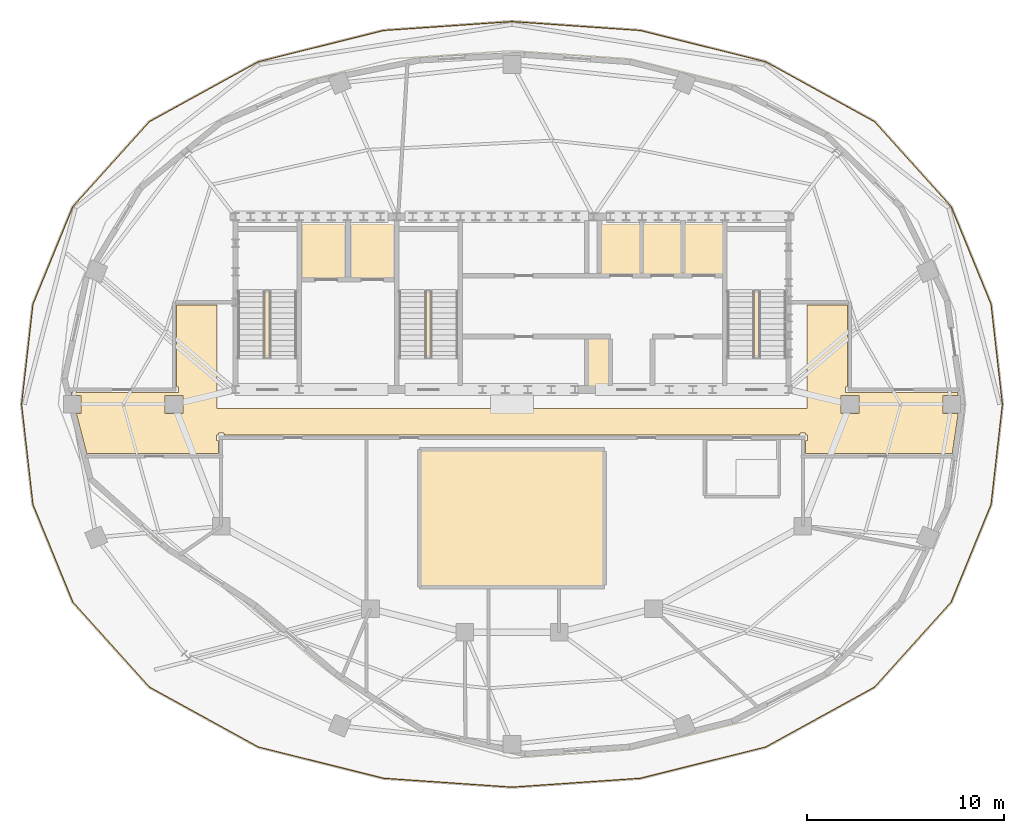
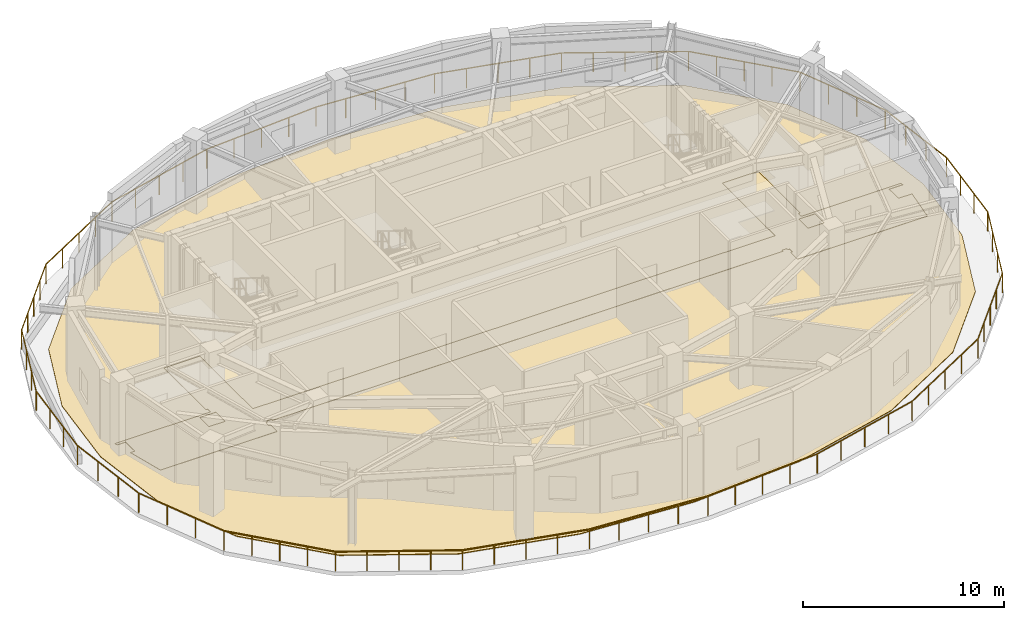
# One storey, part 8 of 10: 2 coverings, 1 railing.
"""IFC4 building model written with IfcOpenShell, lengths in metres."""

from ifc_helpers import new_model, si_unit, direction, frame, origin, origin_2d, place, context, subcontext, project, spatial, polyline, rectangle, outline, extrude, material, layer, layer_set, type_object, element, save


model = new_model("IFC4")

# Units and contexts
model_context = context("Model", 3, precision=1e-05, world=origin(), true_north=direction((0.0, 1.0)))
body_context = subcontext(model_context, "Body", "Model", "MODEL_VIEW")
ifc_project = project(units=[si_unit("LENGTHUNIT", "METRE"), si_unit("AREAUNIT", "SQUARE_METRE"), si_unit("VOLUMEUNIT", "CUBIC_METRE"), si_unit("PLANEANGLEUNIT", "RADIAN"), si_unit("MASSUNIT", "GRAM", prefix="KILO")], contexts=[model_context])

# Site, building, storey
site_placement = place(None, origin())
site = spatial("IfcSite", under=ifc_project, at=site_placement, CompositionType="ELEMENT")
building_placement = place(site_placement, origin())
building = spatial("IfcBuilding", under=site, at=building_placement, Name="Haldorwick Loom Tower", CompositionType="ELEMENT")
storey_placement = place(building_placement, frame((0.0, 0.0, 273.0)))
storey = spatial("IfcBuildingStorey", under=building, at=storey_placement, Name="L74", CompositionType="ELEMENT", Elevation=273.0)

# Coverings
ifc_material_1 = material(Name="Polished Aggregate Terrazzo Finish")
ifc_layer_1 = layer(ifc_material_1, 0.044921875, Name="Polished Aggregate Terrazzo Finish")
ifc_layer_set_1 = layer_set([ifc_layer_1], Name="Polished Aggregate Terrazzo Finish")
covering_type_1 = type_object("IfcCoveringType", Name="ARC-COV-FLOOR2", PredefinedType="FLOORING", material=ifc_layer_set_1)
covering_1_placement = place(storey_placement, origin())
element("IfcCovering", 1, at=covering_1_placement, inside=storey, type_object=covering_type_1, Name="L74 Floor Finish 1", PredefinedType="FLOORING", context=body_context, shape_type="SweptSolid", body=[
    extrude(outline(polyline([(14.36474609375, 23.489990234375), (21.06005859375, 23.489990234375), (21.06005859375, 24.159912109375), (20.97998046875, 24.159912109375), (20.97802734375, 24.16015625), (20.97607421875, 24.160400390625), (20.97412109375, 24.160888671875), (20.972412109375, 24.16162109375), (20.970703125, 24.162353515625), (20.968994140625, 24.163330078125), (20.96728515625, 24.16455078125), (20.9658203125, 24.166015625), (20.964599609375, 24.167236328125), (20.96337890625, 24.1689453125), (20.96240234375, 24.170654296875), (20.96142578125, 24.17236328125), (20.9609375, 24.17431640625), (20.96044921875, 24.176025390625), (20.960205078125, 24.177978515625), (20.9599609375, 24.179931640625), (20.9599609375, 24.419921875), (20.960205078125, 24.422119140625), (20.96044921875, 24.423828125), (20.9609375, 24.42578125), (20.96142578125, 24.427734375), (20.96240234375, 24.429443359375), (20.96337890625, 24.43115234375), (20.964599609375, 24.4326171875), (20.9658203125, 24.43408203125), (20.96728515625, 24.435546875), (20.968994140625, 24.4365234375), (20.970703125, 24.4375), (20.972412109375, 24.4384765625), (20.97412109375, 24.439208984375), (20.97607421875, 24.439697265625), (20.97802734375, 24.43994140625), (20.97998046875, 24.43994140625), (21.06005859375, 24.43994140625), (21.06005859375, 24.52001953125), (21.06005859375, 24.52197265625), (21.060302734375, 24.52392578125), (21.060791015625, 24.52587890625), (21.0615234375, 24.527587890625), (21.0625, 24.529296875), (21.0634765625, 24.531005859375), (21.064453125, 24.53271484375), (21.06591796875, 24.5341796875), (21.0673828125, 24.535400390625), (21.06884765625, 24.53662109375), (21.070556640625, 24.53759765625), (21.072265625, 24.53857421875), (21.07421875, 24.5390625), (21.076171875, 24.53955078125), (21.077880859375, 24.539794921875), (21.080078125, 24.5400390625), (21.320068359375, 24.5400390625), (21.322021484375, 24.539794921875), (21.323974609375, 24.53955078125), (21.32568359375, 24.5390625), (21.32763671875, 24.53857421875), (21.329345703125, 24.53759765625), (21.3310546875, 24.53662109375), (21.332763671875, 24.535400390625), (21.333984375, 24.5341796875), (21.33544921875, 24.53271484375), (21.336669921875, 24.531005859375), (21.337646484375, 24.529296875), (21.33837890625, 24.527587890625), (21.339111328125, 24.52587890625), (21.339599609375, 24.52392578125), (21.33984375, 24.52197265625), (21.340087890625, 24.52001953125), (21.340087890625, 24.43994140625), (50.659912109375, 24.43994140625), (50.659912109375, 24.52001953125), (50.66015625, 24.52197265625), (50.660400390625, 24.52392578125), (50.660888671875, 24.52587890625), (50.66162109375, 24.527587890625), (50.662353515625, 24.529296875), (50.663330078125, 24.531005859375), (50.66455078125, 24.53271484375), (50.666015625, 24.5341796875), (50.667236328125, 24.535400390625), (50.6689453125, 24.53662109375), (50.670654296875, 24.53759765625), (50.67236328125, 24.53857421875), (50.67431640625, 24.5390625), (50.676025390625, 24.53955078125), (50.677978515625, 24.539794921875), (50.679931640625, 24.5400390625), (50.919921875, 24.5400390625), (50.922119140625, 24.539794921875), (50.923828125, 24.53955078125), (50.92578125, 24.5390625), (50.927734375, 24.53857421875), (50.929443359375, 24.53759765625), (50.93115234375, 24.53662109375), (50.9326171875, 24.535400390625), (50.93408203125, 24.5341796875), (50.935546875, 24.53271484375), (50.9365234375, 24.531005859375), (50.9375, 24.529296875), (50.9384765625, 24.527587890625), (50.939208984375, 24.52587890625), (50.939697265625, 24.52392578125), (50.93994140625, 24.52197265625), (50.93994140625, 24.52001953125), (50.93994140625, 24.43994140625), (51.02001953125, 24.43994140625), (51.02197265625, 24.43994140625), (51.02392578125, 24.439697265625), (51.02587890625, 24.439208984375), (51.027587890625, 24.4384765625), (51.029296875, 24.4375), (51.031005859375, 24.4365234375), (51.03271484375, 24.435546875), (51.0341796875, 24.43408203125), (51.035400390625, 24.4326171875), (51.03662109375, 24.43115234375), (51.03759765625, 24.429443359375), (51.03857421875, 24.427734375), (51.0390625, 24.42578125), (51.03955078125, 24.423828125), (51.039794921875, 24.422119140625), (51.0400390625, 24.419921875), (51.0400390625, 24.179931640625), (51.039794921875, 24.177978515625), (51.03955078125, 24.176025390625), (51.0390625, 24.17431640625), (51.03857421875, 24.17236328125), (51.03759765625, 24.170654296875), (51.03662109375, 24.1689453125), (51.035400390625, 24.167236328125), (51.0341796875, 24.166015625), (51.03271484375, 24.16455078125), (51.031005859375, 24.163330078125), (51.029296875, 24.162353515625), (51.027587890625, 24.16162109375), (51.02587890625, 24.160888671875), (51.02392578125, 24.160400390625), (51.02197265625, 24.16015625), (51.02001953125, 24.159912109375), (50.93994140625, 24.159912109375), (50.93994140625, 23.489990234375), (58.40283203125, 23.489990234375), (58.706298828125, 25.5419921875), (57.9228515625, 25.5419921875), (57.9228515625, 26.4580078125), (58.706298828125, 26.4580078125), (58.683837890625, 26.610107421875), (52.97998046875, 26.610107421875), (52.97802734375, 26.610107421875), (52.97607421875, 26.6103515625), (52.97412109375, 26.61083984375), (52.972412109375, 26.611572265625), (52.970703125, 26.6123046875), (52.968994140625, 26.61328125), (52.96728515625, 26.614501953125), (52.9658203125, 26.615966796875), (52.964599609375, 26.6171875), (52.96337890625, 26.618896484375), (52.96240234375, 26.62060546875), (52.96142578125, 26.622314453125), (52.9609375, 26.624267578125), (52.96044921875, 26.626220703125), (52.960205078125, 26.6279296875), (52.9599609375, 26.6298828125), (52.9599609375, 26.8701171875), (52.960205078125, 26.8720703125), (52.96044921875, 26.873779296875), (52.9609375, 26.875732421875), (52.96142578125, 26.877685546875), (52.96240234375, 26.87939453125), (52.96337890625, 26.881103515625), (52.964599609375, 26.8828125), (52.9658203125, 26.884033203125), (52.96728515625, 26.885498046875), (52.968994140625, 26.88671875), (52.970703125, 26.8876953125), (52.972412109375, 26.888427734375), (52.97412109375, 26.88916015625), (52.97607421875, 26.8896484375), (52.97802734375, 26.889892578125), (52.97998046875, 26.889892578125), (53.06005859375, 26.889892578125), (53.06005859375, 31.06005859375), (51.0, 31.06005859375), (51.0, 25.800048828125), (21.0, 25.800048828125), (21.0, 31.06005859375), (18.93994140625, 31.06005859375), (18.93994140625, 26.889892578125), (19.02001953125, 26.889892578125), (19.02197265625, 26.889892578125), (19.02392578125, 26.8896484375), (19.02587890625, 26.88916015625), (19.027587890625, 26.888427734375), (19.029296875, 26.8876953125), (19.031005859375, 26.88671875), (19.03271484375, 26.885498046875), (19.0341796875, 26.884033203125), (19.035400390625, 26.8828125), (19.03662109375, 26.881103515625), (19.03759765625, 26.87939453125), (19.03857421875, 26.877685546875), (19.0390625, 26.875732421875), (19.03955078125, 26.873779296875), (19.039794921875, 26.8720703125), (19.0400390625, 26.8701171875), (19.0400390625, 26.6298828125), (19.039794921875, 26.6279296875), (19.03955078125, 26.626220703125), (19.0390625, 26.624267578125), (19.03857421875, 26.622314453125), (19.03759765625, 26.62060546875), (19.03662109375, 26.618896484375), (19.035400390625, 26.6171875), (19.0341796875, 26.615966796875), (19.03271484375, 26.614501953125), (19.031005859375, 26.61328125), (19.029296875, 26.6123046875), (19.027587890625, 26.611572265625), (19.02587890625, 26.61083984375), (19.02392578125, 26.6103515625), (19.02197265625, 26.610107421875), (19.02001953125, 26.610107421875), (13.555419921875, 26.610107421875), (13.5947265625, 26.4580078125), (14.0771484375, 26.4580078125), (14.0771484375, 25.5419921875), (13.832275390625, 25.5419921875), (14.36474609375, 23.489990234375)]), holes=[polyline([(19.258056640625, 26.4580078125), (19.258056640625, 25.5419921875), (18.342041015625, 25.5419921875), (18.342041015625, 26.4580078125), (19.258056640625, 26.4580078125)]), polyline([(53.657958984375, 26.4580078125), (53.657958984375, 25.5419921875), (52.741943359375, 25.5419921875), (52.741943359375, 26.4580078125), (53.657958984375, 26.4580078125)])]), origin(), (0.0, 0.0, 1.0), 0.044921875),
])
ifc_material_2 = material(Name="SBS Modified Bitumen Inverted Roof Membrane")
ifc_layer_2 = layer(ifc_material_2, 0.0400390625, Name="SBS Modified Bitumen Inverted Roof Membrane")
ifc_layer_set_2 = layer_set([ifc_layer_2], Name="SBS Modified Bitumen Inverted Roof Membrane")
covering_type_2 = type_object("IfcCoveringType", Name="ARC-COV-ROOFMEM", PredefinedType="ROOFING", material=ifc_layer_set_2)
covering_2_placement = place(storey_placement, origin())
element("IfcCovering", 2, at=covering_2_placement, inside=storey, type_object=covering_type_2, Name="L74 Terrace Inverted Roof Membrane 1", PredefinedType="ROOFING", context=body_context, shape_type="SweptSolid", body=[
    extrude(outline(polyline([(59.627685546875, 25.999755859375), (59.0869140625, 30.76611328125), (57.2119140625, 35.35107421875), (53.62060546875, 39.338134765625), (48.427490234375, 42.195556640625), (42.334716796875, 43.717529296875), (36.00146484375, 44.156494140625), (29.66845703125, 43.718017578125), (23.5771484375, 42.197265625), (18.384521484375, 39.342041015625), (14.79150390625, 35.3564453125), (12.914306640625, 30.771240234375), (12.37255859375, 26.002197265625), (12.9130859375, 21.23388671875), (14.7880859375, 16.64892578125), (18.37939453125, 12.661865234375), (23.572509765625, 9.804443359375), (29.665283203125, 8.282470703125), (35.99853515625, 7.843505859375), (42.33154296875, 8.281982421875), (48.4228515625, 9.802734375), (53.615478515625, 12.657958984375), (57.20849609375, 16.6435546875), (59.085693359375, 21.228759765625), (59.627685546875, 25.999755859375)])), origin(), (0.0, 0.0, 1.0), 0.0400390625),
])

# Railing
ifc_material_3 = material(Name="Galvanized Steel CSA G40.21 350W", Category="steel")
railing_type = type_object("IfcRailingType", Name="ARC-RLG-BAL120", PredefinedType="BALUSTRADE", material=ifc_material_3)
railing_placement = place(storey_placement, frame((11.043701171875, 26.0, 0.0)))
element("IfcRailing", 3, at=railing_placement, inside=storey, type_object=railing_type, Name="L74 Outdoor Terrace Guardrail SLB-L74-TERR-1-1", PredefinedType="BALUSTRADE", context=body_context, shape_type="SweptSolid", body=[
    extrude(rectangle(XDim=0.048095703125, YDim=0.048095703125, at=origin_2d()), frame((0.0, 0.0, 1.17578125), z_axis=(0.112785877021, 0.993619316411, 0.0), x_axis=(-0.993619316411, 0.112785877021, 0.0)), (0.0, 0.0, 1.0), 5.13232421875),
    extrude(rectangle(XDim=0.048095703125, YDim=0.048095703125, at=origin_2d()), frame((0.578857421875, 5.099609375, 1.17578125), z_axis=(0.3786576436, 0.925536811231, 0.0), x_axis=(-0.925536811231, 0.3786576436, 0.0)), (0.0, 0.0, 1.0), 5.366943359375),
    extrude(rectangle(XDim=0.048095703125, YDim=0.048095703125, at=origin_2d()), frame((2.611083984375, 10.06689453125, 1.17578125), z_axis=(0.669418944259, 0.742885103544, 0.0), x_axis=(-0.742885103544, 0.669418944259, 0.0)), (0.0, 0.0, 1.0), 5.81884765625),
    extrude(rectangle(XDim=0.048095703125, YDim=0.048095703125, at=origin_2d()), frame((6.50634765625, 14.3896484375, 1.17578125), z_axis=(0.876220801481, 0.481909853658, 0.0), x_axis=(-0.481909853658, 0.876220801481, 0.0)), (0.0, 0.0, 1.0), 6.321044921875),
    extrude(rectangle(XDim=0.048095703125, YDim=0.048095703125, at=origin_2d()), frame((12.044921875, 17.435791015625, 1.17578125), z_axis=(0.970210260935, 0.24226442078, 0.0), x_axis=(-0.24226442078, 0.970210260935, 0.0)), (0.0, 0.0, 1.0), 6.56640625),
    extrude(rectangle(XDim=0.048095703125, YDim=0.048095703125, at=origin_2d()), frame((18.415771484375, 19.026611328125, 1.17578125), z_axis=(0.997608774133, 0.069113918805, 0.0), x_axis=(-0.069113918805, 0.997608774133, 0.0)), (0.0, 0.0, 1.0), 6.55615234375),
    extrude(rectangle(XDim=0.048095703125, YDim=0.048095703125, at=origin_2d()), frame((24.956298828125, 19.479736328125, 1.17578125), z_axis=(0.997608774133, -0.069113918805, 0.0), x_axis=(0.069113918805, 0.997608774133, 0.0)), (0.0, 0.0, 1.0), 6.55615234375),
    extrude(rectangle(XDim=0.048095703125, YDim=0.048095703125, at=origin_2d()), frame((31.496826171875, 19.026611328125, 1.17578125), z_axis=(0.970210260935, -0.24226442078, 0.0), x_axis=(0.24226442078, 0.970210260935, 0.0)), (0.0, 0.0, 1.0), 6.56640625),
    extrude(rectangle(XDim=0.048095703125, YDim=0.048095703125, at=origin_2d()), frame((37.86767578125, 17.435791015625, 1.17578125), z_axis=(0.876220801481, -0.481909853658, 0.0), x_axis=(0.481909853658, 0.876220801481, 0.0)), (0.0, 0.0, 1.0), 6.321044921875),
    extrude(rectangle(XDim=0.048095703125, YDim=0.048095703125, at=origin_2d()), frame((43.40625, 14.3896484375, 1.17578125), z_axis=(0.669418944259, -0.742885103544, 0.0), x_axis=(0.742885103544, 0.669418944259, 0.0)), (0.0, 0.0, 1.0), 5.81884765625),
    extrude(rectangle(XDim=0.048095703125, YDim=0.048095703125, at=origin_2d()), frame((47.301513671875, 10.06689453125, 1.17578125), z_axis=(0.3786576436, -0.925536811231, 0.0), x_axis=(0.925536811231, 0.3786576436, 0.0)), (0.0, 0.0, 1.0), 5.366943359375),
    extrude(rectangle(XDim=0.048095703125, YDim=0.048095703125, at=origin_2d()), frame((49.333740234375, 5.099609375, 1.17578125), z_axis=(0.112785877021, -0.993619316411, 0.0), x_axis=(0.993619316411, 0.112785877021, 0.0)), (0.0, 0.0, 1.0), 5.13232421875),
    extrude(rectangle(XDim=0.048095703125, YDim=0.048095703125, at=origin_2d()), frame((49.91259765625, 0.0, 1.17578125), z_axis=(-0.112785877021, -0.993619316411, 0.0), x_axis=(0.993619316411, -0.112785877021, 0.0)), (0.0, 0.0, 1.0), 5.13232421875),
    extrude(rectangle(XDim=0.048095703125, YDim=0.048095703125, at=origin_2d()), frame((49.333740234375, -5.099609375, 1.17578125), z_axis=(-0.3786576436, -0.925536811231, 0.0), x_axis=(0.925536811231, -0.3786576436, 0.0)), (0.0, 0.0, 1.0), 5.366943359375),
    extrude(rectangle(XDim=0.048095703125, YDim=0.048095703125, at=origin_2d()), frame((47.301513671875, -10.06689453125, 1.17578125), z_axis=(-0.669418944259, -0.742885103544, 0.0), x_axis=(0.742885103544, -0.669418944259, 0.0)), (0.0, 0.0, 1.0), 5.81884765625),
    extrude(rectangle(XDim=0.048095703125, YDim=0.048095703125, at=origin_2d()), frame((43.40625, -14.3896484375, 1.17578125), z_axis=(-0.876220801481, -0.481909853658, 0.0), x_axis=(0.481909853658, -0.876220801481, 0.0)), (0.0, 0.0, 1.0), 6.321044921875),
    extrude(rectangle(XDim=0.048095703125, YDim=0.048095703125, at=origin_2d()), frame((37.86767578125, -17.435791015625, 1.17578125), z_axis=(-0.970210260935, -0.24226442078, 0.0), x_axis=(0.24226442078, -0.970210260935, 0.0)), (0.0, 0.0, 1.0), 6.56640625),
    extrude(rectangle(XDim=0.048095703125, YDim=0.048095703125, at=origin_2d()), frame((31.496826171875, -19.026611328125, 1.17578125), z_axis=(-0.997608774133, -0.069113918805, 0.0), x_axis=(0.069113918805, -0.997608774133, 0.0)), (0.0, 0.0, 1.0), 6.55615234375),
    extrude(rectangle(XDim=0.048095703125, YDim=0.048095703125, at=origin_2d()), frame((24.956298828125, -19.479736328125, 1.17578125), z_axis=(-0.997608774133, 0.069113918805, 0.0), x_axis=(-0.069113918805, -0.997608774133, 0.0)), (0.0, 0.0, 1.0), 6.55615234375),
    extrude(rectangle(XDim=0.048095703125, YDim=0.048095703125, at=origin_2d()), frame((18.415771484375, -19.026611328125, 1.17578125), z_axis=(-0.970210260935, 0.24226442078, 0.0), x_axis=(-0.24226442078, -0.970210260935, 0.0)), (0.0, 0.0, 1.0), 6.56640625),
    extrude(rectangle(XDim=0.048095703125, YDim=0.048095703125, at=origin_2d()), frame((12.044921875, -17.435791015625, 1.17578125), z_axis=(-0.876220801481, 0.481909853658, 0.0), x_axis=(-0.481909853658, -0.876220801481, 0.0)), (0.0, 0.0, 1.0), 6.321044921875),
    extrude(rectangle(XDim=0.048095703125, YDim=0.048095703125, at=origin_2d()), frame((6.50634765625, -14.3896484375, 1.17578125), z_axis=(-0.669418944259, 0.742885103544, 0.0), x_axis=(-0.742885103544, -0.669418944259, 0.0)), (0.0, 0.0, 1.0), 5.81884765625),
    extrude(rectangle(XDim=0.048095703125, YDim=0.048095703125, at=origin_2d()), frame((2.611083984375, -10.06689453125, 1.17578125), z_axis=(-0.3786576436, 0.925536811231, 0.0), x_axis=(-0.925536811231, -0.3786576436, 0.0)), (0.0, 0.0, 1.0), 5.366943359375),
    extrude(rectangle(XDim=0.048095703125, YDim=0.048095703125, at=origin_2d()), frame((0.578857421875, -5.099609375, 1.17578125), z_axis=(-0.112785877021, 0.993619316411, 0.0), x_axis=(-0.993619316411, -0.112785877021, 0.0)), (0.0, 0.0, 1.0), 5.13232421875),
    extrude(rectangle(XDim=0.0419921875, YDim=0.0419921875, at=origin_2d()), origin(), (0.0, 0.0, 1.0), 1.15185546875),
    extrude(rectangle(XDim=0.0419921875, YDim=0.0419921875, at=origin_2d()), frame((0.19287109375, 1.699951171875, 0.0)), (0.0, 0.0, 1.0), 1.15185546875),
    extrude(rectangle(XDim=0.0419921875, YDim=0.0419921875, at=origin_2d()), frame((0.385986328125, 3.399658203125, 0.0)), (0.0, 0.0, 1.0), 1.15185546875),
    extrude(rectangle(XDim=0.0419921875, YDim=0.0419921875, at=origin_2d()), frame((0.578857421875, 5.099609375, 0.0)), (0.0, 0.0, 1.0), 1.15185546875),
    extrude(rectangle(XDim=0.0419921875, YDim=0.0419921875, at=origin_2d()), frame((1.25634765625, 6.75537109375, 0.0)), (0.0, 0.0, 1.0), 1.15185546875),
    extrude(rectangle(XDim=0.0419921875, YDim=0.0419921875, at=origin_2d()), frame((1.93359375, 8.4111328125, 0.0)), (0.0, 0.0, 1.0), 1.15185546875),
    extrude(rectangle(XDim=0.0419921875, YDim=0.0419921875, at=origin_2d()), frame((2.611083984375, 10.06689453125, 0.0)), (0.0, 0.0, 1.0), 1.15185546875),
    extrude(rectangle(XDim=0.0419921875, YDim=0.0419921875, at=origin_2d()), frame((3.5849609375, 11.1474609375, 0.0)), (0.0, 0.0, 1.0), 1.15185546875),
    extrude(rectangle(XDim=0.0419921875, YDim=0.0419921875, at=origin_2d()), frame((4.55859375, 12.228271484375, 0.0)), (0.0, 0.0, 1.0), 1.15185546875),
    extrude(rectangle(XDim=0.0419921875, YDim=0.0419921875, at=origin_2d()), frame((5.532470703125, 13.30908203125, 0.0)), (0.0, 0.0, 1.0), 1.15185546875),
    extrude(rectangle(XDim=0.0419921875, YDim=0.0419921875, at=origin_2d()), frame((6.50634765625, 14.3896484375, 0.0)), (0.0, 0.0, 1.0), 1.15185546875),
    extrude(rectangle(XDim=0.0419921875, YDim=0.0419921875, at=origin_2d()), frame((7.89111328125, 15.151123046875, 0.0)), (0.0, 0.0, 1.0), 1.15185546875),
    extrude(rectangle(XDim=0.0419921875, YDim=0.0419921875, at=origin_2d()), frame((9.275634765625, 15.91259765625, 0.0)), (0.0, 0.0, 1.0), 1.15185546875),
    extrude(rectangle(XDim=0.0419921875, YDim=0.0419921875, at=origin_2d()), frame((10.66015625, 16.67431640625, 0.0)), (0.0, 0.0, 1.0), 1.15185546875),
    extrude(rectangle(XDim=0.0419921875, YDim=0.0419921875, at=origin_2d()), frame((12.044921875, 17.435791015625, 0.0)), (0.0, 0.0, 1.0), 1.15185546875),
    extrude(rectangle(XDim=0.0419921875, YDim=0.0419921875, at=origin_2d()), frame((13.6376953125, 17.83349609375, 0.0)), (0.0, 0.0, 1.0), 1.15185546875),
    extrude(rectangle(XDim=0.0419921875, YDim=0.0419921875, at=origin_2d()), frame((15.23046875, 18.231201171875, 0.0)), (0.0, 0.0, 1.0), 1.15185546875),
    extrude(rectangle(XDim=0.0419921875, YDim=0.0419921875, at=origin_2d()), frame((16.822998046875, 18.62890625, 0.0)), (0.0, 0.0, 1.0), 1.15185546875),
    extrude(rectangle(XDim=0.0419921875, YDim=0.0419921875, at=origin_2d()), frame((18.415771484375, 19.026611328125, 0.0)), (0.0, 0.0, 1.0), 1.15185546875),
    extrude(rectangle(XDim=0.0419921875, YDim=0.0419921875, at=origin_2d()), frame((20.05078125, 19.139892578125, 0.0)), (0.0, 0.0, 1.0), 1.15185546875),
    extrude(rectangle(XDim=0.0419921875, YDim=0.0419921875, at=origin_2d()), frame((21.68603515625, 19.253173828125, 0.0)), (0.0, 0.0, 1.0), 1.15185546875),
    extrude(rectangle(XDim=0.0419921875, YDim=0.0419921875, at=origin_2d()), frame((23.3212890625, 19.366455078125, 0.0)), (0.0, 0.0, 1.0), 1.15185546875),
    extrude(rectangle(XDim=0.0419921875, YDim=0.0419921875, at=origin_2d()), frame((24.956298828125, 19.479736328125, 0.0)), (0.0, 0.0, 1.0), 1.15185546875),
    extrude(rectangle(XDim=0.0419921875, YDim=0.0419921875, at=origin_2d()), frame((26.59130859375, 19.366455078125, 0.0)), (0.0, 0.0, 1.0), 1.15185546875),
    extrude(rectangle(XDim=0.0419921875, YDim=0.0419921875, at=origin_2d()), frame((28.2265625, 19.253173828125, 0.0)), (0.0, 0.0, 1.0), 1.15185546875),
    extrude(rectangle(XDim=0.0419921875, YDim=0.0419921875, at=origin_2d()), frame((29.86181640625, 19.139892578125, 0.0)), (0.0, 0.0, 1.0), 1.15185546875),
    extrude(rectangle(XDim=0.0419921875, YDim=0.0419921875, at=origin_2d()), frame((31.496826171875, 19.026611328125, 0.0)), (0.0, 0.0, 1.0), 1.15185546875),
    extrude(rectangle(XDim=0.0419921875, YDim=0.0419921875, at=origin_2d()), frame((33.089599609375, 18.62890625, 0.0)), (0.0, 0.0, 1.0), 1.15185546875),
    extrude(rectangle(XDim=0.0419921875, YDim=0.0419921875, at=origin_2d()), frame((34.68212890625, 18.231201171875, 0.0)), (0.0, 0.0, 1.0), 1.15185546875),
    extrude(rectangle(XDim=0.0419921875, YDim=0.0419921875, at=origin_2d()), frame((36.27490234375, 17.83349609375, 0.0)), (0.0, 0.0, 1.0), 1.15185546875),
    extrude(rectangle(XDim=0.0419921875, YDim=0.0419921875, at=origin_2d()), frame((37.86767578125, 17.435791015625, 0.0)), (0.0, 0.0, 1.0), 1.15185546875),
    extrude(rectangle(XDim=0.0419921875, YDim=0.0419921875, at=origin_2d()), frame((39.25244140625, 16.67431640625, 0.0)), (0.0, 0.0, 1.0), 1.15185546875),
    extrude(rectangle(XDim=0.0419921875, YDim=0.0419921875, at=origin_2d()), frame((40.636962890625, 15.91259765625, 0.0)), (0.0, 0.0, 1.0), 1.15185546875),
    extrude(rectangle(XDim=0.0419921875, YDim=0.0419921875, at=origin_2d()), frame((42.021484375, 15.151123046875, 0.0)), (0.0, 0.0, 1.0), 1.15185546875),
    extrude(rectangle(XDim=0.0419921875, YDim=0.0419921875, at=origin_2d()), frame((43.40625, 14.3896484375, 0.0)), (0.0, 0.0, 1.0), 1.15185546875),
    extrude(rectangle(XDim=0.0419921875, YDim=0.0419921875, at=origin_2d()), frame((44.380126953125, 13.30908203125, 0.0)), (0.0, 0.0, 1.0), 1.15185546875),
    extrude(rectangle(XDim=0.0419921875, YDim=0.0419921875, at=origin_2d()), frame((45.35400390625, 12.228271484375, 0.0)), (0.0, 0.0, 1.0), 1.15185546875),
    extrude(rectangle(XDim=0.0419921875, YDim=0.0419921875, at=origin_2d()), frame((46.32763671875, 11.1474609375, 0.0)), (0.0, 0.0, 1.0), 1.15185546875),
    extrude(rectangle(XDim=0.0419921875, YDim=0.0419921875, at=origin_2d()), frame((47.301513671875, 10.06689453125, 0.0)), (0.0, 0.0, 1.0), 1.15185546875),
    extrude(rectangle(XDim=0.0419921875, YDim=0.0419921875, at=origin_2d()), frame((47.97900390625, 8.4111328125, 0.0)), (0.0, 0.0, 1.0), 1.15185546875),
    extrude(rectangle(XDim=0.0419921875, YDim=0.0419921875, at=origin_2d()), frame((48.65625, 6.75537109375, 0.0)), (0.0, 0.0, 1.0), 1.15185546875),
    extrude(rectangle(XDim=0.0419921875, YDim=0.0419921875, at=origin_2d()), frame((49.333740234375, 5.099609375, 0.0)), (0.0, 0.0, 1.0), 1.15185546875),
    extrude(rectangle(XDim=0.0419921875, YDim=0.0419921875, at=origin_2d()), frame((49.526611328125, 3.399658203125, 0.0)), (0.0, 0.0, 1.0), 1.15185546875),
    extrude(rectangle(XDim=0.0419921875, YDim=0.0419921875, at=origin_2d()), frame((49.7197265625, 1.699951171875, 0.0)), (0.0, 0.0, 1.0), 1.15185546875),
    extrude(rectangle(XDim=0.0419921875, YDim=0.0419921875, at=origin_2d()), frame((49.91259765625, 0.0, 0.0)), (0.0, 0.0, 1.0), 1.15185546875),
    extrude(rectangle(XDim=0.0419921875, YDim=0.0419921875, at=origin_2d()), frame((49.7197265625, -1.699951171875, 0.0)), (0.0, 0.0, 1.0), 1.15185546875),
    extrude(rectangle(XDim=0.0419921875, YDim=0.0419921875, at=origin_2d()), frame((49.526611328125, -3.399658203125, 0.0)), (0.0, 0.0, 1.0), 1.15185546875),
    extrude(rectangle(XDim=0.0419921875, YDim=0.0419921875, at=origin_2d()), frame((49.333740234375, -5.099609375, 0.0)), (0.0, 0.0, 1.0), 1.15185546875),
    extrude(rectangle(XDim=0.0419921875, YDim=0.0419921875, at=origin_2d()), frame((48.65625, -6.75537109375, 0.0)), (0.0, 0.0, 1.0), 1.15185546875),
    extrude(rectangle(XDim=0.0419921875, YDim=0.0419921875, at=origin_2d()), frame((47.97900390625, -8.4111328125, 0.0)), (0.0, 0.0, 1.0), 1.15185546875),
    extrude(rectangle(XDim=0.0419921875, YDim=0.0419921875, at=origin_2d()), frame((47.301513671875, -10.06689453125, 0.0)), (0.0, 0.0, 1.0), 1.15185546875),
    extrude(rectangle(XDim=0.0419921875, YDim=0.0419921875, at=origin_2d()), frame((46.32763671875, -11.1474609375, 0.0)), (0.0, 0.0, 1.0), 1.15185546875),
    extrude(rectangle(XDim=0.0419921875, YDim=0.0419921875, at=origin_2d()), frame((45.35400390625, -12.228271484375, 0.0)), (0.0, 0.0, 1.0), 1.15185546875),
    extrude(rectangle(XDim=0.0419921875, YDim=0.0419921875, at=origin_2d()), frame((44.380126953125, -13.30908203125, 0.0)), (0.0, 0.0, 1.0), 1.15185546875),
    extrude(rectangle(XDim=0.0419921875, YDim=0.0419921875, at=origin_2d()), frame((43.40625, -14.3896484375, 0.0)), (0.0, 0.0, 1.0), 1.15185546875),
    extrude(rectangle(XDim=0.0419921875, YDim=0.0419921875, at=origin_2d()), frame((42.021484375, -15.151123046875, 0.0)), (0.0, 0.0, 1.0), 1.15185546875),
    extrude(rectangle(XDim=0.0419921875, YDim=0.0419921875, at=origin_2d()), frame((40.636962890625, -15.91259765625, 0.0)), (0.0, 0.0, 1.0), 1.15185546875),
    extrude(rectangle(XDim=0.0419921875, YDim=0.0419921875, at=origin_2d()), frame((39.25244140625, -16.67431640625, 0.0)), (0.0, 0.0, 1.0), 1.15185546875),
    extrude(rectangle(XDim=0.0419921875, YDim=0.0419921875, at=origin_2d()), frame((37.86767578125, -17.435791015625, 0.0)), (0.0, 0.0, 1.0), 1.15185546875),
    extrude(rectangle(XDim=0.0419921875, YDim=0.0419921875, at=origin_2d()), frame((36.27490234375, -17.83349609375, 0.0)), (0.0, 0.0, 1.0), 1.15185546875),
    extrude(rectangle(XDim=0.0419921875, YDim=0.0419921875, at=origin_2d()), frame((34.68212890625, -18.231201171875, 0.0)), (0.0, 0.0, 1.0), 1.15185546875),
    extrude(rectangle(XDim=0.0419921875, YDim=0.0419921875, at=origin_2d()), frame((33.089599609375, -18.62890625, 0.0)), (0.0, 0.0, 1.0), 1.15185546875),
    extrude(rectangle(XDim=0.0419921875, YDim=0.0419921875, at=origin_2d()), frame((31.496826171875, -19.026611328125, 0.0)), (0.0, 0.0, 1.0), 1.15185546875),
    extrude(rectangle(XDim=0.0419921875, YDim=0.0419921875, at=origin_2d()), frame((29.86181640625, -19.139892578125, 0.0)), (0.0, 0.0, 1.0), 1.15185546875),
    extrude(rectangle(XDim=0.0419921875, YDim=0.0419921875, at=origin_2d()), frame((28.2265625, -19.253173828125, 0.0)), (0.0, 0.0, 1.0), 1.15185546875),
    extrude(rectangle(XDim=0.0419921875, YDim=0.0419921875, at=origin_2d()), frame((26.59130859375, -19.366455078125, 0.0)), (0.0, 0.0, 1.0), 1.15185546875),
    extrude(rectangle(XDim=0.0419921875, YDim=0.0419921875, at=origin_2d()), frame((24.956298828125, -19.479736328125, 0.0)), (0.0, 0.0, 1.0), 1.15185546875),
    extrude(rectangle(XDim=0.0419921875, YDim=0.0419921875, at=origin_2d()), frame((23.3212890625, -19.366455078125, 0.0)), (0.0, 0.0, 1.0), 1.15185546875),
    extrude(rectangle(XDim=0.0419921875, YDim=0.0419921875, at=origin_2d()), frame((21.68603515625, -19.253173828125, 0.0)), (0.0, 0.0, 1.0), 1.15185546875),
    extrude(rectangle(XDim=0.0419921875, YDim=0.0419921875, at=origin_2d()), frame((20.05078125, -19.139892578125, 0.0)), (0.0, 0.0, 1.0), 1.15185546875),
    extrude(rectangle(XDim=0.0419921875, YDim=0.0419921875, at=origin_2d()), frame((18.415771484375, -19.026611328125, 0.0)), (0.0, 0.0, 1.0), 1.15185546875),
    extrude(rectangle(XDim=0.0419921875, YDim=0.0419921875, at=origin_2d()), frame((16.822998046875, -18.62890625, 0.0)), (0.0, 0.0, 1.0), 1.15185546875),
    extrude(rectangle(XDim=0.0419921875, YDim=0.0419921875, at=origin_2d()), frame((15.23046875, -18.231201171875, 0.0)), (0.0, 0.0, 1.0), 1.15185546875),
    extrude(rectangle(XDim=0.0419921875, YDim=0.0419921875, at=origin_2d()), frame((13.6376953125, -17.83349609375, 0.0)), (0.0, 0.0, 1.0), 1.15185546875),
    extrude(rectangle(XDim=0.0419921875, YDim=0.0419921875, at=origin_2d()), frame((12.044921875, -17.435791015625, 0.0)), (0.0, 0.0, 1.0), 1.15185546875),
    extrude(rectangle(XDim=0.0419921875, YDim=0.0419921875, at=origin_2d()), frame((10.66015625, -16.67431640625, 0.0)), (0.0, 0.0, 1.0), 1.15185546875),
    extrude(rectangle(XDim=0.0419921875, YDim=0.0419921875, at=origin_2d()), frame((9.275634765625, -15.91259765625, 0.0)), (0.0, 0.0, 1.0), 1.15185546875),
    extrude(rectangle(XDim=0.0419921875, YDim=0.0419921875, at=origin_2d()), frame((7.89111328125, -15.151123046875, 0.0)), (0.0, 0.0, 1.0), 1.15185546875),
    extrude(rectangle(XDim=0.0419921875, YDim=0.0419921875, at=origin_2d()), frame((6.50634765625, -14.3896484375, 0.0)), (0.0, 0.0, 1.0), 1.15185546875),
    extrude(rectangle(XDim=0.0419921875, YDim=0.0419921875, at=origin_2d()), frame((5.532470703125, -13.30908203125, 0.0)), (0.0, 0.0, 1.0), 1.15185546875),
    extrude(rectangle(XDim=0.0419921875, YDim=0.0419921875, at=origin_2d()), frame((4.55859375, -12.228271484375, 0.0)), (0.0, 0.0, 1.0), 1.15185546875),
    extrude(rectangle(XDim=0.0419921875, YDim=0.0419921875, at=origin_2d()), frame((3.5849609375, -11.1474609375, 0.0)), (0.0, 0.0, 1.0), 1.15185546875),
    extrude(rectangle(XDim=0.0419921875, YDim=0.0419921875, at=origin_2d()), frame((2.611083984375, -10.06689453125, 0.0)), (0.0, 0.0, 1.0), 1.15185546875),
    extrude(rectangle(XDim=0.0419921875, YDim=0.0419921875, at=origin_2d()), frame((1.93359375, -8.4111328125, 0.0)), (0.0, 0.0, 1.0), 1.15185546875),
    extrude(rectangle(XDim=0.0419921875, YDim=0.0419921875, at=origin_2d()), frame((1.25634765625, -6.75537109375, 0.0)), (0.0, 0.0, 1.0), 1.15185546875),
    extrude(rectangle(XDim=0.0419921875, YDim=0.0419921875, at=origin_2d()), frame((0.578857421875, -5.099609375, 0.0)), (0.0, 0.0, 1.0), 1.15185546875),
    extrude(rectangle(XDim=0.0419921875, YDim=0.0419921875, at=origin_2d()), frame((0.385986328125, -3.399658203125, 0.0)), (0.0, 0.0, 1.0), 1.15185546875),
    extrude(rectangle(XDim=0.0419921875, YDim=0.0419921875, at=origin_2d()), frame((0.19287109375, -1.699951171875, 0.0)), (0.0, 0.0, 1.0), 1.15185546875),
])

save(model, "model.ifc")
